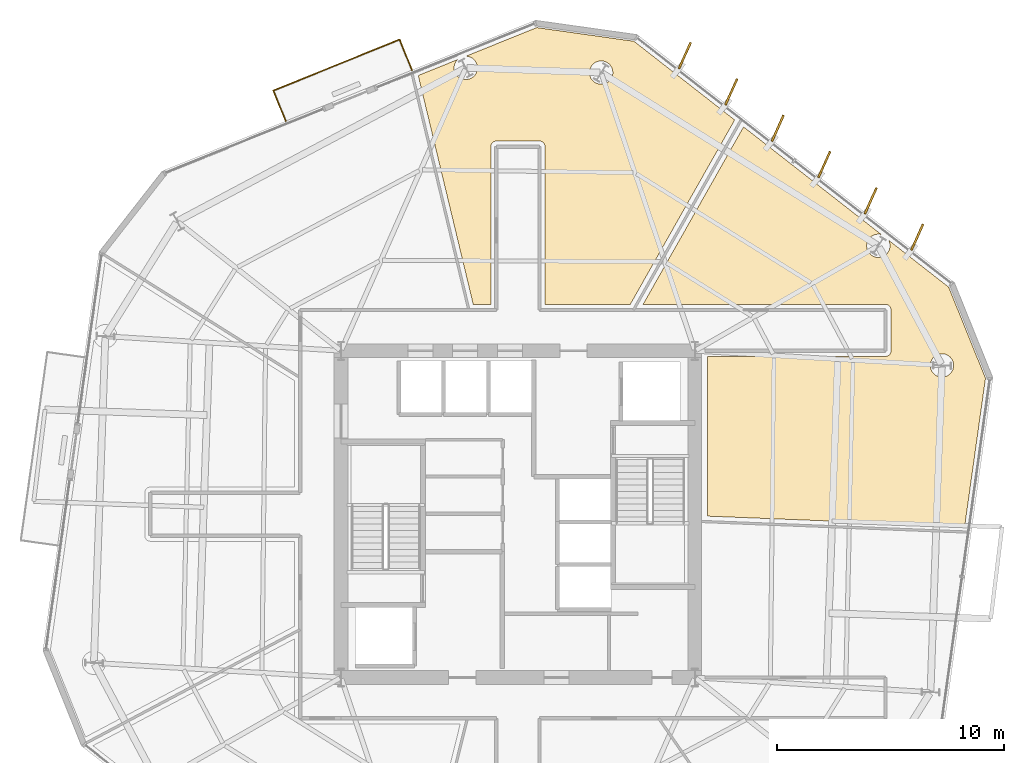
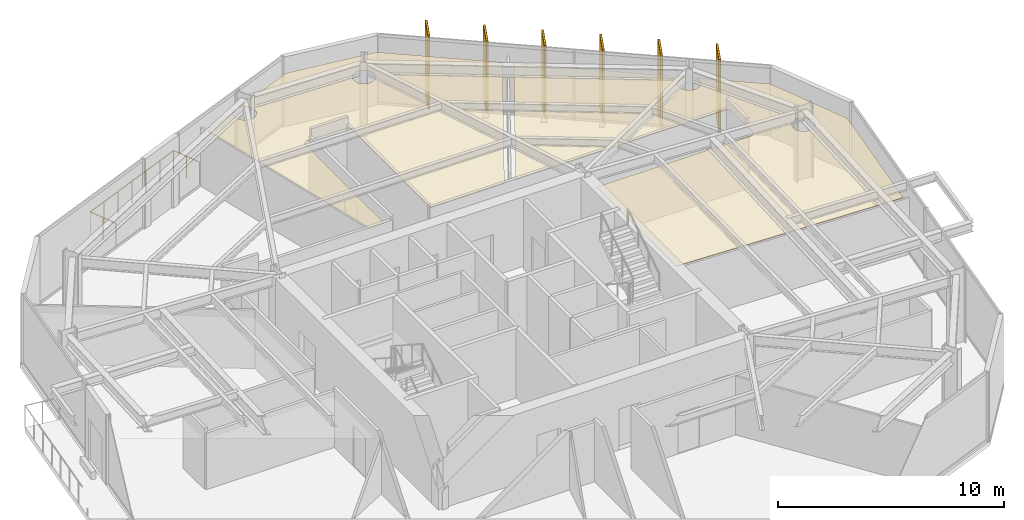
# One storey, part 12 of 12: 8 coverings, 6 shading devices, 1 railing.
"""IFC4 building model written with IfcOpenShell, lengths in metres."""

from ifc_helpers import new_model, si_unit, direction, frame, origin, origin_2d, place, context, subcontext, project, spatial, polyline, rectangle, circle, outline, extrude, material, layer, layer_set, type_object, element, save


model = new_model("IFC4")

# Units and contexts
model_context = context("Model", 3, precision=1e-05, world=origin(), true_north=direction((0.0, 1.0)))
body_context = subcontext(model_context, "Body", "Model", "MODEL_VIEW")
ifc_project = project(units=[si_unit("LENGTHUNIT", "METRE"), si_unit("AREAUNIT", "SQUARE_METRE"), si_unit("VOLUMEUNIT", "CUBIC_METRE"), si_unit("PLANEANGLEUNIT", "RADIAN"), si_unit("MASSUNIT", "GRAM", prefix="KILO")], contexts=[model_context])

# Site, building, storey
site_placement = place(None, origin())
site = spatial("IfcSite", under=ifc_project, at=site_placement, CompositionType="ELEMENT")
building_placement = place(site_placement, origin())
building = spatial("IfcBuilding", under=site, at=building_placement, Name="Kranzbogen Civic Tower", CompositionType="ELEMENT")
storey_placement = place(building_placement, frame((0.0, 0.0, 110.39990234375)))
storey = spatial("IfcBuildingStorey", under=building, at=storey_placement, Name="L26", CompositionType="ELEMENT", Elevation=110.39990234375)

# Coverings
ifc_material_1 = material(Name="Pale Anodised Aluminium", Category="aluminium")
ifc_layer_1 = layer(ifc_material_1, 0.02490234375, Name="Pale Anodised Aluminium")
ifc_layer_set_1 = layer_set([ifc_layer_1], Name="Pale Anodised Aluminium")
covering_type_1 = type_object("IfcCoveringType", Name="Anodised Aluminium Vertical Fin Cladding 25 mm", PredefinedType="CLADDING", material=ifc_layer_set_1)
for number, where, z_axis, x_axis, name in (
    (1, (42.59912109375, 37.2099609375, -0.139892578125), (0.0, 0.0, 1.0), (0.409795673853, 0.912177343334, 0.0), "L26 vertical fin pale-metal cladding F1-1"),
    (2, (40.550048828125, 38.81103515625, -0.139892578125), (0.0, 0.0, 1.0), (0.409795673853, 0.912177343334, 0.0), "L26 vertical fin pale-metal cladding F1-2"),
    (3, (38.5009765625, 40.410888671875, -0.139892578125), (0.0, 0.0, 1.0), (0.409795673853, 0.912177343334, 0.0), "L26 vertical fin pale-metal cladding F1-3"),
    (4, (36.451904296875, 42.011962890625, -0.139892578125), (0.0, 0.0, 1.0), (0.409795673853, 0.912177343334, 0.0), "L26 vertical fin pale-metal cladding F1-4"),
    (5, (34.404052734375, 43.613037109375, -0.139892578125), (0.0, 0.0, 1.0), (0.409795673853, 0.912177343334, 0.0), "L26 vertical fin pale-metal cladding F1-5"),
    (6, (32.35498046875, 45.212890625, -0.139892578125), (0.0, 0.0, 1.0), (0.409795673853, 0.912177343334, 0.0), "L26 vertical fin pale-metal cladding F1-6"),
):
    element("IfcCovering", number, at=place(storey_placement, frame(where, z_axis=z_axis, x_axis=x_axis)), inside=storey, type_object=covering_type_1, Name=name, PredefinedType="CLADDING", context=body_context, shape_type="SweptSolid", body=[
        extrude(rectangle(XDim=1.25, YDim=0.10009765625, at=origin_2d()), origin(), (0.0, 0.0, 1.0), 3.9599609375),
    ])

# Shading devices
ifc_material_2 = material(Name="Anodised Bronze Aluminium", Category="aluminium")
shading_device_type = type_object("IfcShadingDeviceType", Name="Anodised Bronze Vertical Facade Fin 1250x80", PredefinedType="USERDEFINED", material=ifc_material_2)
for number, where, z_axis, x_axis, name in (
    (7, (42.59912109375, 37.2099609375, -0.139892578125), (0.0, 0.0, 1.0), (0.409795673853, 0.912177343334, 0.0), "L26 vertical exterior shading fin F1-1"),
    (8, (40.550048828125, 38.81103515625, -0.139892578125), (0.0, 0.0, 1.0), (0.409795673853, 0.912177343334, 0.0), "L26 vertical exterior shading fin F1-2"),
    (9, (38.5009765625, 40.410888671875, -0.139892578125), (0.0, 0.0, 1.0), (0.409795673853, 0.912177343334, 0.0), "L26 vertical exterior shading fin F1-3"),
    (10, (36.451904296875, 42.011962890625, -0.139892578125), (0.0, 0.0, 1.0), (0.409795673853, 0.912177343334, 0.0), "L26 vertical exterior shading fin F1-4"),
    (11, (34.404052734375, 43.613037109375, -0.139892578125), (0.0, 0.0, 1.0), (0.409795673853, 0.912177343334, 0.0), "L26 vertical exterior shading fin F1-5"),
    (12, (32.35498046875, 45.212890625, -0.139892578125), (0.0, 0.0, 1.0), (0.409795673853, 0.912177343334, 0.0), "L26 vertical exterior shading fin F1-6"),
):
    element("IfcShadingDevice", number, at=place(storey_placement, frame(where, z_axis=z_axis, x_axis=x_axis)), inside=storey, type_object=shading_device_type, Name=name, ObjectType="FIN", PredefinedType="USERDEFINED", context=body_context, shape_type="SweptSolid", body=[
        extrude(rectangle(XDim=1.25, YDim=0.080078125, at=origin_2d()), origin(), (0.0, 0.0, 1.0), 3.9599609375),
    ])

# Railing
railing_type = type_object("IfcRailingType", Name="Cantilevered Balcony Glass and Bronze Balustrade 1200", PredefinedType="BALUSTRADE", material=ifc_material_2)
railing_placement = place(storey_placement, frame((20.326904296875, 44.574951171875, 0.0)))
element("IfcRailing", 13, at=railing_placement, inside=storey, type_object=railing_type, Name="L26 exterior terrace balustrade L26-TB1", PredefinedType="BALUSTRADE", context=body_context, shape_type="SweptSolid", body=[
    extrude(circle(Radius=0.02392578125, at=origin_2d()), frame((0.0, 0.0, 1.17578125), z_axis=(-0.374582793354, 0.927193470061, 0.0), x_axis=(-0.927193470061, -0.374582793354, 0.0)), (0.0, 0.0, 1.0), 1.449462890625),
    extrude(circle(Radius=0.02392578125, at=origin_2d()), frame((-0.54296875, 1.343994140625, 1.17578125), z_axis=(-0.927157587725, -0.374671599569, 0.0), x_axis=(0.374671599569, -0.927157587725, 0.0)), (0.0, 0.0, 1.0), 6.0),
    extrude(circle(Radius=0.02392578125, at=origin_2d()), frame((-6.10595703125, -0.904052734375, 1.17578125), z_axis=(0.374582793354, -0.927193470061, 0.0), x_axis=(0.927193470061, 0.374582793354, 0.0)), (0.0, 0.0, 1.0), 1.449462890625),
    extrude(circle(Radius=0.02099609375, at=origin_2d()), origin(), (0.0, 0.0, 1.0), 1.15185546875),
    extrude(circle(Radius=0.02099609375, at=origin_2d()), frame((-0.271484375, 0.671875, 0.0)), (0.0, 0.0, 1.0), 1.15185546875),
    extrude(circle(Radius=0.02099609375, at=origin_2d()), frame((-0.54296875, 1.343994140625, 0.0)), (0.0, 0.0, 1.0), 1.15185546875),
    extrude(circle(Radius=0.02099609375, at=origin_2d()), frame((-1.47021484375, 0.96923828125, 0.0)), (0.0, 0.0, 1.0), 1.15185546875),
    extrude(circle(Radius=0.02099609375, at=origin_2d()), frame((-2.397216796875, 0.5947265625, 0.0)), (0.0, 0.0, 1.0), 1.15185546875),
    extrude(circle(Radius=0.02099609375, at=origin_2d()), frame((-3.324462890625, 0.219970703125, 0.0)), (0.0, 0.0, 1.0), 1.15185546875),
    extrude(circle(Radius=0.02099609375, at=origin_2d()), frame((-4.251708984375, -0.15478515625, 0.0)), (0.0, 0.0, 1.0), 1.15185546875),
    extrude(circle(Radius=0.02099609375, at=origin_2d()), frame((-5.1787109375, -0.529296875, 0.0)), (0.0, 0.0, 1.0), 1.15185546875),
    extrude(circle(Radius=0.02099609375, at=origin_2d()), frame((-6.10595703125, -0.904052734375, 0.0)), (0.0, 0.0, 1.0), 1.15185546875),
    extrude(circle(Radius=0.02099609375, at=origin_2d()), frame((-5.83447265625, -1.576171875, 0.0)), (0.0, 0.0, 1.0), 1.15185546875),
    extrude(circle(Radius=0.02099609375, at=origin_2d()), frame((-5.56298828125, -2.248046875, 0.0)), (0.0, 0.0, 1.0), 1.15185546875),
])

# Coverings
ifc_material_3 = material(Name="Perforated Acoustic Gypsum Ceiling")
ifc_layer_2 = layer(ifc_material_3, 0.02490234375, Name="Perforated Acoustic Gypsum Ceiling")
ifc_layer_set_2 = layer_set([ifc_layer_2], Name="Perforated Acoustic Gypsum Ceiling")
covering_type_2 = type_object("IfcCoveringType", Name="Perforated Acoustic Mineral Ceiling Tile 25 mm", PredefinedType="CEILING", material=ifc_layer_set_2)
covering_1_placement = place(storey_placement, frame((0.0, 0.0, 2.900146484375)))
element("IfcCovering", 14, at=covering_1_placement, inside=storey, type_object=covering_type_2, Name="L26 Policy Seminar Room acoustic ceiling", PredefinedType="CEILING", context=body_context, shape_type="SweptSolid", body=[
    extrude(outline(polyline([(41.199951171875, 31.955078125), (41.208984375, 31.955078125), (41.215087890625, 31.9560546875), (41.23291015625, 31.95703125), (41.239013671875, 31.9580078125), (41.256103515625, 31.9619140625), (41.262939453125, 31.962890625), (41.280029296875, 31.968017578125), (41.285888671875, 31.969970703125), (41.302001953125, 31.97705078125), (41.30810546875, 31.97998046875), (41.322998046875, 31.988037109375), (41.3291015625, 31.991943359375), (41.343017578125, 32.0009765625), (41.347900390625, 32.0048828125), (41.362060546875, 32.01611328125), (41.366943359375, 32.02099609375), (41.37890625, 32.032958984375), (41.384033203125, 32.0380859375), (41.39501953125, 32.052001953125), (41.39892578125, 32.056884765625), (41.407958984375, 32.071044921875), (41.412109375, 32.076904296875), (41.419921875, 32.092041015625), (41.423095703125, 32.097900390625), (41.429931640625, 32.114013671875), (41.431884765625, 32.1201171875), (41.43701171875, 32.136962890625), (41.43798828125, 32.14404296875), (41.44189453125, 32.160888671875), (41.443115234375, 32.1669921875), (41.444091796875, 32.18505859375), (41.445068359375, 32.19091796875), (41.445068359375, 32.199951171875), (41.445068359375, 34.0), (41.445068359375, 34.009033203125), (41.444091796875, 34.014892578125), (41.443115234375, 34.032958984375), (41.44189453125, 34.0390625), (41.43798828125, 34.055908203125), (41.43701171875, 34.06298828125), (41.431884765625, 34.080078125), (41.429931640625, 34.0859375), (41.423095703125, 34.10205078125), (41.419921875, 34.10791015625), (41.412109375, 34.123046875), (41.407958984375, 34.12890625), (41.39892578125, 34.14306640625), (41.39501953125, 34.14794921875), (41.384033203125, 34.162109375), (41.37890625, 34.1669921875), (41.366943359375, 34.178955078125), (41.362060546875, 34.18408203125), (41.347900390625, 34.195068359375), (41.343017578125, 34.198974609375), (41.3291015625, 34.2080078125), (41.322998046875, 34.2119140625), (41.30810546875, 34.219970703125), (41.302001953125, 34.222900390625), (41.285888671875, 34.22998046875), (41.280029296875, 34.23193359375), (41.262939453125, 34.237060546875), (41.256103515625, 34.238037109375), (41.239013671875, 34.241943359375), (41.23291015625, 34.242919921875), (41.215087890625, 34.243896484375), (41.208984375, 34.2451171875), (41.199951171875, 34.2451171875), (30.514892578125, 34.2451171875), (34.945068359375, 42.071044921875), (41.01904296875, 37.324951171875), (40.986083984375, 37.3330078125), (40.93603515625, 37.341064453125), (40.885986328125, 37.343017578125), (40.8359375, 37.341064453125), (40.785888671875, 37.3330078125), (40.737060546875, 37.321044921875), (40.68896484375, 37.303955078125), (40.64404296875, 37.282958984375), (40.60009765625, 37.257080078125), (40.56005859375, 37.22705078125), (40.52197265625, 37.193115234375), (40.488037109375, 37.155029296875), (40.4580078125, 37.114990234375), (40.431884765625, 37.071044921875), (40.410888671875, 37.02587890625), (40.39404296875, 36.97802734375), (40.382080078125, 36.928955078125), (40.3740234375, 36.87890625), (40.3720703125, 36.8291015625), (40.3740234375, 36.779052734375), (40.382080078125, 36.72900390625), (40.39404296875, 36.679931640625), (40.410888671875, 36.632080078125), (40.431884765625, 36.5869140625), (40.4580078125, 36.54296875), (40.488037109375, 36.5029296875), (40.52197265625, 36.465087890625), (40.56005859375, 36.430908203125), (40.60009765625, 36.40087890625), (40.64404296875, 36.375), (40.68896484375, 36.35400390625), (40.737060546875, 36.3369140625), (40.785888671875, 36.324951171875), (40.8359375, 36.31689453125), (40.885986328125, 36.31494140625), (40.93603515625, 36.31689453125), (40.986083984375, 36.324951171875), (41.034912109375, 36.3369140625), (41.0830078125, 36.35400390625), (41.1279296875, 36.375), (41.172119140625, 36.40087890625), (41.2119140625, 36.430908203125), (41.25, 36.465087890625), (41.283935546875, 36.5029296875), (41.31396484375, 36.54296875), (41.340087890625, 36.5869140625), (41.361083984375, 36.632080078125), (41.3779296875, 36.679931640625), (41.389892578125, 36.72900390625), (41.39794921875, 36.779052734375), (41.39990234375, 36.8291015625), (41.39794921875, 36.87890625), (41.389892578125, 36.928955078125), (41.3779296875, 36.97802734375), (41.361083984375, 37.02587890625), (41.340087890625, 37.071044921875), (41.3359375, 37.077880859375), (43.989013671875, 35.0048828125), (45.610107421875, 30.993896484375), (44.69189453125, 24.4599609375), (33.344970703125, 24.912109375), (33.344970703125, 31.955078125), (41.199951171875, 31.955078125)]), holes=[polyline([(44.1650390625, 31.35888671875), (44.14404296875, 31.31396484375), (44.117919921875, 31.27001953125), (44.087890625, 31.22998046875), (44.053955078125, 31.19189453125), (44.01611328125, 31.157958984375), (43.97607421875, 31.1279296875), (43.931884765625, 31.10205078125), (43.886962890625, 31.0810546875), (43.839111328125, 31.06396484375), (43.7900390625, 31.052001953125), (43.739990234375, 31.0439453125), (43.68994140625, 31.0419921875), (43.639892578125, 31.0439453125), (43.590087890625, 31.052001953125), (43.541015625, 31.06396484375), (43.492919921875, 31.0810546875), (43.447998046875, 31.10205078125), (43.404052734375, 31.1279296875), (43.364013671875, 31.157958984375), (43.325927734375, 31.19189453125), (43.2919921875, 31.22998046875), (43.261962890625, 31.27001953125), (43.236083984375, 31.31396484375), (43.215087890625, 31.35888671875), (43.197998046875, 31.406982421875), (43.18603515625, 31.4560546875), (43.177978515625, 31.506103515625), (43.176025390625, 31.555908203125), (43.177978515625, 31.60595703125), (43.18603515625, 31.656005859375), (43.197998046875, 31.705078125), (43.215087890625, 31.7529296875), (43.236083984375, 31.798095703125), (43.261962890625, 31.842041015625), (43.2919921875, 31.882080078125), (43.325927734375, 31.919921875), (43.364013671875, 31.9541015625), (43.404052734375, 31.98388671875), (43.447998046875, 32.010009765625), (43.492919921875, 32.031005859375), (43.541015625, 32.048095703125), (43.590087890625, 32.06005859375), (43.639892578125, 32.068115234375), (43.68994140625, 32.070068359375), (43.739990234375, 32.068115234375), (43.7900390625, 32.06005859375), (43.839111328125, 32.048095703125), (43.886962890625, 32.031005859375), (43.931884765625, 32.010009765625), (43.97607421875, 31.98388671875), (44.01611328125, 31.9541015625), (44.053955078125, 31.919921875), (44.087890625, 31.882080078125), (44.117919921875, 31.842041015625), (44.14404296875, 31.798095703125), (44.1650390625, 31.7529296875), (44.181884765625, 31.705078125), (44.194091796875, 31.656005859375), (44.201904296875, 31.60595703125), (44.2041015625, 31.555908203125), (44.201904296875, 31.506103515625), (44.194091796875, 31.4560546875), (44.181884765625, 31.406982421875), (44.1650390625, 31.35888671875)])]), origin(), (0.0, 0.0, 1.0), 0.02490234375),
])
covering_2_placement = place(storey_placement, frame((0.0, 0.0, 2.900146484375)))
element("IfcCovering", 15, at=covering_2_placement, inside=storey, type_object=covering_type_2, Name="L26 Executive Research Study acoustic ceiling", PredefinedType="CEILING", context=body_context, shape_type="SweptSolid", body=[
    extrude(outline(polyline([(30.114013671875, 45.844970703125), (34.553955078125, 42.3759765625), (29.951904296875, 34.2451171875), (26.195068359375, 34.2451171875), (26.195068359375, 41.199951171875), (26.195068359375, 41.208984375), (26.194091796875, 41.215087890625), (26.193115234375, 41.23291015625), (26.19189453125, 41.239013671875), (26.18798828125, 41.256103515625), (26.18701171875, 41.262939453125), (26.181884765625, 41.280029296875), (26.179931640625, 41.285888671875), (26.173095703125, 41.302001953125), (26.169921875, 41.30810546875), (26.162109375, 41.322998046875), (26.157958984375, 41.3291015625), (26.14892578125, 41.343017578125), (26.14501953125, 41.347900390625), (26.134033203125, 41.362060546875), (26.12890625, 41.366943359375), (26.116943359375, 41.37890625), (26.112060546875, 41.384033203125), (26.097900390625, 41.39501953125), (26.093017578125, 41.39892578125), (26.0791015625, 41.407958984375), (26.072998046875, 41.412109375), (26.05810546875, 41.419921875), (26.052001953125, 41.423095703125), (26.035888671875, 41.429931640625), (26.030029296875, 41.431884765625), (26.012939453125, 41.43701171875), (26.006103515625, 41.43798828125), (25.989013671875, 41.44189453125), (25.98291015625, 41.443115234375), (25.965087890625, 41.444091796875), (25.958984375, 41.445068359375), (25.949951171875, 41.445068359375), (24.050048828125, 41.445068359375), (24.041015625, 41.445068359375), (24.034912109375, 41.444091796875), (24.01708984375, 41.443115234375), (24.010986328125, 41.44189453125), (23.993896484375, 41.43798828125), (23.987060546875, 41.43701171875), (23.969970703125, 41.431884765625), (23.964111328125, 41.429931640625), (23.947998046875, 41.423095703125), (23.94189453125, 41.419921875), (23.927001953125, 41.412109375), (23.9208984375, 41.407958984375), (23.906982421875, 41.39892578125), (23.902099609375, 41.39501953125), (23.887939453125, 41.384033203125), (23.883056640625, 41.37890625), (23.87109375, 41.366943359375), (23.865966796875, 41.362060546875), (23.85498046875, 41.347900390625), (23.85107421875, 41.343017578125), (23.842041015625, 41.3291015625), (23.837890625, 41.322998046875), (23.830078125, 41.30810546875), (23.826904296875, 41.302001953125), (23.820068359375, 41.285888671875), (23.818115234375, 41.280029296875), (23.81298828125, 41.262939453125), (23.81201171875, 41.256103515625), (23.80810546875, 41.239013671875), (23.806884765625, 41.23291015625), (23.805908203125, 41.215087890625), (23.804931640625, 41.208984375), (23.804931640625, 41.199951171875), (23.804931640625, 34.2451171875), (23.030029296875, 34.2451171875), (20.60498046875, 44.3369140625), (22.3359375, 45.035888671875), (22.3349609375, 45.035888671875), (22.301025390625, 44.998046875), (22.27099609375, 44.9580078125), (22.2451171875, 44.9140625), (22.22412109375, 44.868896484375), (22.20703125, 44.821044921875), (22.195068359375, 44.77197265625), (22.18701171875, 44.721923828125), (22.18505859375, 44.672119140625), (22.18701171875, 44.6220703125), (22.195068359375, 44.572021484375), (22.20703125, 44.52294921875), (22.22412109375, 44.47509765625), (22.2451171875, 44.429931640625), (22.27099609375, 44.385986328125), (22.301025390625, 44.345947265625), (22.3349609375, 44.30810546875), (22.373046875, 44.27392578125), (22.4130859375, 44.243896484375), (22.45703125, 44.218017578125), (22.501953125, 44.197021484375), (22.550048828125, 44.179931640625), (22.59912109375, 44.16796875), (22.64892578125, 44.159912109375), (22.698974609375, 44.157958984375), (22.7490234375, 44.159912109375), (22.799072265625, 44.16796875), (22.847900390625, 44.179931640625), (22.89599609375, 44.197021484375), (22.94091796875, 44.218017578125), (22.985107421875, 44.243896484375), (23.02490234375, 44.27392578125), (23.06298828125, 44.30810546875), (23.096923828125, 44.345947265625), (23.126953125, 44.385986328125), (23.153076171875, 44.429931640625), (23.174072265625, 44.47509765625), (23.19091796875, 44.52294921875), (23.202880859375, 44.572021484375), (23.2109375, 44.6220703125), (23.212890625, 44.672119140625), (23.2109375, 44.721923828125), (23.202880859375, 44.77197265625), (23.19091796875, 44.821044921875), (23.174072265625, 44.868896484375), (23.153076171875, 44.9140625), (23.126953125, 44.9580078125), (23.096923828125, 44.998046875), (23.06298828125, 45.035888671875), (23.02490234375, 45.070068359375), (22.985107421875, 45.10009765625), (22.94091796875, 45.1259765625), (22.89599609375, 45.14697265625), (22.847900390625, 45.1640625), (22.799072265625, 45.176025390625), (22.7490234375, 45.18408203125), (22.70703125, 45.18603515625), (25.830078125, 46.447998046875), (30.114013671875, 45.844970703125)]), holes=[polyline([(29.14306640625, 44.26708984375), (29.1220703125, 44.221923828125), (29.095947265625, 44.177978515625), (29.06591796875, 44.137939453125), (29.031982421875, 44.10009765625), (28.993896484375, 44.06591796875), (28.9541015625, 44.035888671875), (28.909912109375, 44.010009765625), (28.864990234375, 43.989013671875), (28.81689453125, 43.971923828125), (28.76806640625, 43.9599609375), (28.718017578125, 43.951904296875), (28.66796875, 43.949951171875), (28.617919921875, 43.951904296875), (28.568115234375, 43.9599609375), (28.51904296875, 43.971923828125), (28.470947265625, 43.989013671875), (28.426025390625, 44.010009765625), (28.382080078125, 44.035888671875), (28.342041015625, 44.06591796875), (28.303955078125, 44.10009765625), (28.27001953125, 44.137939453125), (28.239990234375, 44.177978515625), (28.214111328125, 44.221923828125), (28.193115234375, 44.26708984375), (28.176025390625, 44.31494140625), (28.1640625, 44.364013671875), (28.156005859375, 44.4140625), (28.154052734375, 44.464111328125), (28.156005859375, 44.513916015625), (28.1640625, 44.56396484375), (28.176025390625, 44.613037109375), (28.193115234375, 44.660888671875), (28.214111328125, 44.7060546875), (28.239990234375, 44.75), (28.27001953125, 44.7900390625), (28.303955078125, 44.827880859375), (28.342041015625, 44.862060546875), (28.382080078125, 44.89208984375), (28.426025390625, 44.91796875), (28.470947265625, 44.93896484375), (28.51904296875, 44.9560546875), (28.568115234375, 44.968017578125), (28.617919921875, 44.97607421875), (28.66796875, 44.97802734375), (28.718017578125, 44.97607421875), (28.76806640625, 44.968017578125), (28.81689453125, 44.9560546875), (28.864990234375, 44.93896484375), (28.909912109375, 44.91796875), (28.9541015625, 44.89208984375), (28.993896484375, 44.862060546875), (29.031982421875, 44.827880859375), (29.06591796875, 44.7900390625), (29.095947265625, 44.75), (29.1220703125, 44.7060546875), (29.14306640625, 44.660888671875), (29.159912109375, 44.613037109375), (29.172119140625, 44.56396484375), (29.179931640625, 44.513916015625), (29.181884765625, 44.464111328125), (29.179931640625, 44.4140625), (29.172119140625, 44.364013671875), (29.159912109375, 44.31494140625), (29.14306640625, 44.26708984375)])]), origin(), (0.0, 0.0, 1.0), 0.02490234375),
])

save(model, "model.ifc")
